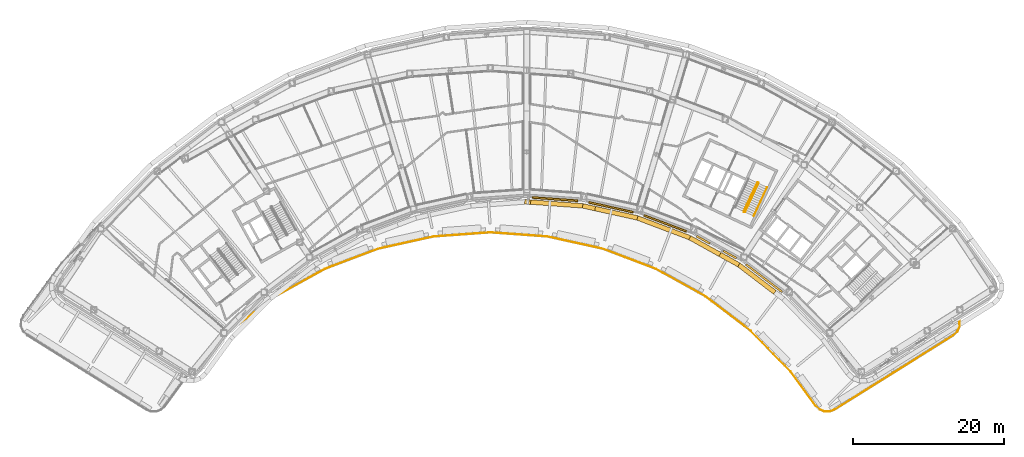
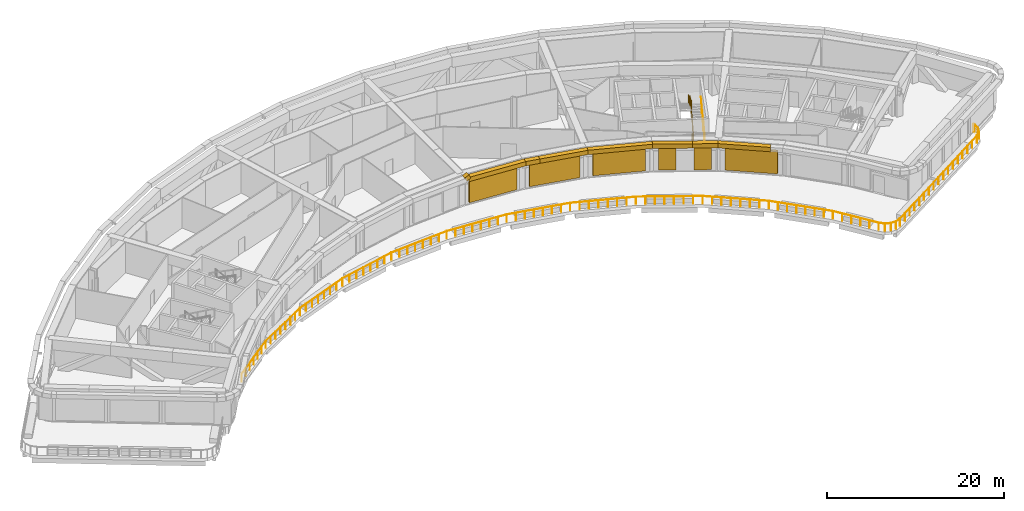
# One storey, part 22 of 25: 8 coverings, 6 shading devices, 3 railings.
"""IFC4 building model written with IfcOpenShell, lengths in metres."""

from ifc_helpers import new_model, si_unit, direction, frame, origin, origin_2d, place, context, subcontext, project, spatial, rectangle, circle, extrude, material, material_profile, profile_set, type_object, element, save


model = new_model("IFC4")

# Units and contexts
model_context = context("Model", 3, precision=1e-05, world=origin(), true_north=direction((0.0, 1.0)))
body_context = subcontext(model_context, "Body", "Model", "MODEL_VIEW")
ifc_project = project(units=[si_unit("LENGTHUNIT", "METRE"), si_unit("AREAUNIT", "SQUARE_METRE"), si_unit("VOLUMEUNIT", "CUBIC_METRE"), si_unit("PLANEANGLEUNIT", "RADIAN"), si_unit("MASSUNIT", "GRAM", prefix="KILO")], contexts=[model_context])

# Site, building, storey
site_placement = place(None, origin())
site = spatial("IfcSite", under=ifc_project, at=site_placement, CompositionType="ELEMENT")
building_placement = place(site_placement, origin())
building = spatial("IfcBuilding", under=site, at=building_placement, Name="Tuul Gate Civic Tower", CompositionType="ELEMENT")
storey_placement = place(building_placement, frame((0.0, 0.0, 60.89990234375)))
storey = spatial("IfcBuildingStorey", under=building, at=storey_placement, Name="Plant and refuge floor 2", CompositionType="ELEMENT", Elevation=60.89990234375)

# Shading devices
ifc_material_1 = material(Name="Aluminium louvre", Category="aluminium")
shading_device_type = type_object("IfcShadingDeviceType", Name="Louvre panel", PredefinedType="USERDEFINED", material=ifc_material_1)
for number, where, z_axis, x_axis, name in (
    (1, (8.552490234375, -3.49658203125, 0.300048828125), (0.0, 0.0, 1.0), (-0.072276176045, -0.997384657179, 0.0), "Louvre panel"),
    (2, (15.963134765625, -4.576171875, 0.300048828125), (0.0, 0.0, 1.0), (-0.215241961183, -0.976560749849, 0.0), "Louvre panel"),
    (3, (23.140869140625, -6.7119140625, 0.300048828125), (0.0, 0.0, 1.0), (-0.353684769481, -0.935364679597, 0.0), "Louvre panel"),
):
    element("IfcShadingDevice", number, at=place(storey_placement, frame(where, z_axis=z_axis, x_axis=x_axis)), inside=storey, type_object=shading_device_type, Name=name, ObjectType="LOUVRE", PredefinedType="USERDEFINED", context=body_context, shape_type="SweptSolid", body=[
        extrude(rectangle(XDim=0.25, YDim=6.0, at=origin_2d()), origin(), (0.0, 0.0, 1.0), 3.14990234375),
    ])
for number, where, z_axis, x_axis, name in (
    (4, (28.180908203125, -8.886962890625, 0.300048828125), (0.0, 0.0, 1.0), (-0.48480794476, -0.874620635875, 0.0), "Louvre panel"),
    (5, (31.69091796875, -10.832763671875, 0.300048828125), (0.0, 0.0, 1.0), (-0.48480794476, -0.874620635875, 0.0), "Louvre panel"),
):
    element("IfcShadingDevice", number, at=place(storey_placement, frame(where, z_axis=z_axis, x_axis=x_axis)), inside=storey, type_object=shading_device_type, Name=name, ObjectType="LOUVRE", PredefinedType="USERDEFINED", context=body_context, shape_type="SweptSolid", body=[
        extrude(rectangle(XDim=0.25, YDim=2.0, at=origin_2d()), origin(), (0.0, 0.0, 1.0), 3.14990234375),
    ])
shading_device_placement = place(storey_placement, frame((36.206298828125, -13.954345703125, 0.300048828125), z_axis=(0.0, 0.0, 1.0), x_axis=(-0.605851052715, -0.795578092914, 0.0)))
element("IfcShadingDevice", 6, at=shading_device_placement, inside=storey, type_object=shading_device_type, Name="Louvre panel", ObjectType="LOUVRE", PredefinedType="USERDEFINED", context=body_context, shape_type="SweptSolid", body=[
    extrude(rectangle(XDim=0.25, YDim=6.0, at=origin_2d()), origin(), (0.0, 0.0, 1.0), 3.14990234375),
])

# Railings
ifc_material_2 = material(Name="Painted steel", Category="steel")
railing_type_1 = type_object("IfcRailingType", Name="Stair guard", PredefinedType="GUARDRAIL", material=ifc_material_2)
railing_1_placement = place(storey_placement, frame((33.645751953125, -5.238525390625, 0.0)))
element("IfcRailing", 7, at=railing_1_placement, inside=storey, type_object=railing_type_1, Name="Plant and refuge floor 2 ST-4 stair guard 1", PredefinedType="GUARDRAIL", context=body_context, shape_type="SweptSolid", body=[
    extrude(circle(Radius=0.02392578125, at=origin_2d()), frame((0.0, 0.0, 1.076171875), z_axis=(-0.906307919131, 0.422617978463, 0.0), x_axis=(-0.422617978463, -0.906307919131, 0.0)), (0.0, 0.0, 1.0), 0.099853515625),
    extrude(circle(Radius=0.02392578125, at=origin_2d()), frame((-0.090576171875, 0.042236328125, 1.076171875), z_axis=(0.720179819621, -0.082882280952, 0.688818956559), x_axis=(0.114330889033, 0.993442724979, 0.0)), (0.0, 0.0, 1.0), 0.218017578125),
    extrude(circle(Radius=0.02392578125, at=origin_2d()), frame((0.06640625, 0.024169921875, 1.22607421875), z_axis=(0.377979662676, 0.810654594284, 0.447180616049), x_axis=(-0.906322681284, 0.422586319455, 0.0)), (0.0, 0.0, 1.0), 4.69580078125),
    extrude(circle(Radius=0.02392578125, at=origin_2d()), frame((1.84130859375, 3.830810546875, 3.326171875), z_axis=(-0.342020437038, 0.939692513883, 0.0), x_axis=(-0.939692513883, -0.342020437038, 0.0)), (0.0, 0.0, 1.0), 0.070556640625),
    extrude(circle(Radius=0.02392578125, at=origin_2d()), frame((1.817138671875, 3.897216796875, 3.326171875), z_axis=(-0.906742786819, 0.421684145483, 0.0), x_axis=(-0.421684145483, -0.906742786819, 0.0)), (0.0, 0.0, 1.0), 0.10009765625),
    extrude(circle(Radius=0.02392578125, at=origin_2d()), frame((1.726318359375, 3.939453125, 3.326171875), z_axis=(-0.400168791901, -0.145649670582, 0.904793408159), x_axis=(0.342020437038, -0.939692513883, 0.0)), (0.0, 0.0, 1.0), 0.166015625),
    extrude(circle(Radius=0.02392578125, at=origin_2d()), frame((1.659912109375, 3.915283203125, 3.47607421875), z_axis=(-0.377935097645, -0.810670524484, 0.44718940361), x_axis=(0.906344943348, -0.422538570626, 0.0)), (0.0, 0.0, 1.0), 4.695556640625),
    extrude(circle(Radius=0.02099609375, at=origin_2d()), origin(), (0.0, 0.0, 1.0), 1.052001953125),
    extrude(circle(Radius=0.02099609375, at=origin_2d()), frame((-0.090576171875, 0.042236328125, 0.0)), (0.0, 0.0, 1.0), 1.052001953125),
    extrude(circle(Radius=0.02099609375, at=origin_2d()), frame((0.06640625, 0.024169921875, 0.150146484375)), (0.0, 0.0, 1.0), 1.052001953125),
    extrude(circle(Radius=0.02099609375, at=origin_2d()), frame((0.51025390625, 0.975830078125, 0.675048828125)), (0.0, 0.0, 1.0), 1.052001953125),
    extrude(circle(Radius=0.02099609375, at=origin_2d()), frame((0.953857421875, 1.927490234375, 1.2001953125)), (0.0, 0.0, 1.0), 1.052001953125),
    extrude(circle(Radius=0.02099609375, at=origin_2d()), frame((1.3974609375, 2.879150390625, 1.72509765625)), (0.0, 0.0, 1.0), 1.052001953125),
    extrude(circle(Radius=0.02099609375, at=origin_2d()), frame((1.84130859375, 3.830810546875, 2.25)), (0.0, 0.0, 1.0), 1.052001953125),
    extrude(circle(Radius=0.02099609375, at=origin_2d()), frame((1.817138671875, 3.897216796875, 2.25)), (0.0, 0.0, 1.0), 1.052001953125),
    extrude(circle(Radius=0.02099609375, at=origin_2d()), frame((1.726318359375, 3.939453125, 2.25)), (0.0, 0.0, 1.0), 1.052001953125),
    extrude(circle(Radius=0.02099609375, at=origin_2d()), frame((1.659912109375, 3.915283203125, 2.400146484375)), (0.0, 0.0, 1.0), 1.052001953125),
    extrude(circle(Radius=0.02099609375, at=origin_2d()), frame((1.21630859375, 2.963623046875, 2.925048828125)), (0.0, 0.0, 1.0), 1.052001953125),
    extrude(circle(Radius=0.02099609375, at=origin_2d()), frame((0.7724609375, 2.011962890625, 3.4501953125)), (0.0, 0.0, 1.0), 1.052001953125),
    extrude(circle(Radius=0.02099609375, at=origin_2d()), frame((0.328857421875, 1.060302734375, 3.97509765625)), (0.0, 0.0, 1.0), 1.052001953125),
    extrude(circle(Radius=0.02099609375, at=origin_2d()), frame((-0.11474609375, 0.108642578125, 4.5)), (0.0, 0.0, 1.0), 1.052001953125),
])
ifc_material_3 = material(Name="Painted steel", Category="steel")
railing_type_2 = type_object("IfcRailingType", Name="Stair handrail", PredefinedType="HANDRAIL", material=ifc_material_3)
railing_2_placement = place(storey_placement, frame((34.844970703125, -5.74267578125, 0.150146484375)))
element("IfcRailing", 8, at=railing_2_placement, inside=storey, type_object=railing_type_2, Name="Plant and refuge floor 2 ST-4 stair handrail 1", PredefinedType="HANDRAIL", context=body_context, shape_type="SweptSolid", body=[
    extrude(circle(Radius=0.02392578125, at=origin_2d()), frame((0.0, 0.0, 0.8759765625), z_axis=(0.377979662676, 0.810654594284, 0.447180616049), x_axis=(-0.906322681284, 0.422586319455, 0.0)), (0.0, 0.0, 1.0), 4.69580078125),
    extrude(circle(Radius=0.02099609375, at=origin_2d()), origin(), (0.0, 0.0, 1.0), 0.851806640625),
    extrude(circle(Radius=0.02099609375, at=origin_2d()), frame((0.44384765625, 0.95166015625, 0.52490234375)), (0.0, 0.0, 1.0), 0.851806640625),
    extrude(circle(Radius=0.02099609375, at=origin_2d()), frame((0.887451171875, 1.9033203125, 1.0498046875)), (0.0, 0.0, 1.0), 0.851806640625),
    extrude(circle(Radius=0.02099609375, at=origin_2d()), frame((1.3310546875, 2.85498046875, 1.574951171875)), (0.0, 0.0, 1.0), 0.851806640625),
    extrude(circle(Radius=0.02099609375, at=origin_2d()), frame((1.77490234375, 3.806640625, 2.099853515625)), (0.0, 0.0, 1.0), 0.851806640625),
])
ifc_material_4 = material(Name="Stainless steel", Category="steel")
railing_type_3 = type_object("IfcRailingType", Name="Terrace guard", PredefinedType="GUARDRAIL", material=ifc_material_4)
railing_3_placement = place(storey_placement, frame((-34.084716796875, -20.651123046875, 0.0)))
element("IfcRailing", 9, at=railing_3_placement, inside=storey, type_object=railing_type_3, Name="Guard", PredefinedType="GUARDRAIL", context=body_context, shape_type="SweptSolid", body=[
    extrude(circle(Radius=0.02392578125, at=origin_2d()), frame((0.0, 0.0, 1.076171875), z_axis=(0.795570125613, 0.605861514896, 0.0), x_axis=(-0.605861514896, 0.795570125613, 0.0)), (0.0, 0.0, 1.0), 7.044677734375),
    extrude(circle(Radius=0.02392578125, at=origin_2d()), frame((5.6044921875, 4.26806640625, 1.076171875), z_axis=(0.874652568021, 0.484750332907, 0.0), x_axis=(-0.484750332907, 0.874652568021, 0.0)), (0.0, 0.0, 1.0), 7.5263671875),
    extrude(circle(Radius=0.02392578125, at=origin_2d()), frame((12.1875, 7.91650390625, 1.076171875), z_axis=(0.935332384104, 0.353770167265, 0.0), x_axis=(-0.353770167265, 0.935332384104, 0.0)), (0.0, 0.0, 1.0), 7.527099609375),
    extrude(circle(Radius=0.02392578125, at=origin_2d()), frame((19.227783203125, 10.579345703125, 1.076171875), z_axis=(0.976573215597, 0.215185395831, 0.0), x_axis=(-0.215185395831, 0.976573215597, 0.0)), (0.0, 0.0, 1.0), 7.526611328125),
    extrude(circle(Radius=0.02392578125, at=origin_2d()), frame((26.578125, 12.198974609375, 1.076171875), z_axis=(0.997389572159, 0.072208319108, 0.0), x_axis=(-0.072208319108, 0.997389572159, 0.0)), (0.0, 0.0, 1.0), 7.526123046875),
    extrude(circle(Radius=0.02392578125, at=origin_2d()), frame((34.084716796875, 12.742431640625, 1.076171875), z_axis=(0.997389572159, -0.072208319108, 0.0), x_axis=(0.072208319108, 0.997389572159, 0.0)), (0.0, 0.0, 1.0), 7.526123046875),
    extrude(circle(Radius=0.02392578125, at=origin_2d()), frame((41.59130859375, 12.198974609375, 1.076171875), z_axis=(0.976573215597, -0.215185395831, 0.0), x_axis=(0.215185395831, 0.976573215597, 0.0)), (0.0, 0.0, 1.0), 7.526611328125),
    extrude(circle(Radius=0.02392578125, at=origin_2d()), frame((48.941650390625, 10.579345703125, 1.076171875), z_axis=(0.935332384104, -0.353770167265, 0.0), x_axis=(0.353770167265, 0.935332384104, 0.0)), (0.0, 0.0, 1.0), 7.527099609375),
    extrude(circle(Radius=0.02392578125, at=origin_2d()), frame((55.98193359375, 7.91650390625, 1.076171875), z_axis=(0.874652568021, -0.484750332907, 0.0), x_axis=(0.484750332907, 0.874652568021, 0.0)), (0.0, 0.0, 1.0), 7.5263671875),
    extrude(circle(Radius=0.02392578125, at=origin_2d()), frame((62.56494140625, 4.26806640625, 1.076171875), z_axis=(0.795572422077, -0.605858499347, 0.0), x_axis=(0.605858499347, 0.795572422077, 0.0)), (0.0, 0.0, 1.0), 7.527099609375),
    extrude(circle(Radius=0.02392578125, at=origin_2d()), frame((68.55322265625, -0.292236328125, 1.076171875), z_axis=(0.700015947829, -0.714127210506, 0.0), x_axis=(0.714127210506, 0.700015947829, 0.0)), (0.0, 0.0, 1.0), 7.52587890625),
    extrude(circle(Radius=0.02392578125, at=origin_2d()), frame((73.821533203125, -5.666748046875, 1.076171875), z_axis=(0.589799533535, -0.807549695215, 0.0), x_axis=(0.807549695215, 0.589799533535, 0.0)), (0.0, 0.0, 1.0), 5.640625),
    extrude(circle(Radius=0.02392578125, at=origin_2d()), frame((77.1484375, -10.221923828125, 1.076171875), z_axis=(0.730176325427, -0.68325876049, 0.0), x_axis=(0.68325876049, 0.730176325427, 0.0)), (0.0, 0.0, 1.0), 0.702392578125),
    extrude(circle(Radius=0.02392578125, at=origin_2d()), frame((77.661376953125, -10.701904296875, 1.076171875), z_axis=(0.9292820248, -0.369370976639, 0.0), x_axis=(0.369370976639, 0.9292820248, 0.0)), (0.0, 0.0, 1.0), 0.68798828125),
    extrude(circle(Radius=0.02392578125, at=origin_2d()), frame((78.30078125, -10.9560546875, 1.076171875), z_axis=(0.999992381518, -0.003903447905, 0.0), x_axis=(0.003903447905, 0.999992381518, 0.0)), (0.0, 0.0, 1.0), 0.68798828125),
    extrude(circle(Radius=0.02392578125, at=origin_2d()), frame((78.98876953125, -10.958740234375, 1.076171875), z_axis=(0.931913281541, 0.362681176361, 0.0), x_axis=(-0.362681176361, 0.931913281541, 0.0)), (0.0, 0.0, 1.0), 0.7021484375),
    extrude(circle(Radius=0.02392578125, at=origin_2d()), frame((79.64306640625, -10.7041015625, 1.076171875), z_axis=(0.848033851669, 0.529942059496, 0.0), x_axis=(-0.529942059496, 0.848033851669, 0.0)), (0.0, 0.0, 1.0), 18.519287109375),
    extrude(circle(Radius=0.02392578125, at=origin_2d()), frame((95.34814453125, -0.889892578125, 1.076171875), z_axis=(0.722186485961, 0.69169840212, 0.0), x_axis=(-0.69169840212, 0.722186485961, 0.0)), (0.0, 0.0, 1.0), 0.768798828125),
    extrude(circle(Radius=0.02392578125, at=origin_2d()), frame((95.9033203125, -0.358154296875, 1.076171875), z_axis=(0.386086812322, 0.922462450917, 0.0), x_axis=(-0.922462450917, 0.386086812322, 0.0)), (0.0, 0.0, 1.0), 0.753662109375),
    extrude(circle(Radius=0.02392578125, at=origin_2d()), frame((96.1943359375, 0.337158203125, 1.076171875), z_axis=(-0.014923710973, 0.999888635224, 0.0), x_axis=(-0.999888635224, -0.014923710973, 0.0)), (0.0, 0.0, 1.0), 0.75244140625),
    extrude(circle(Radius=0.02392578125, at=origin_2d()), frame((96.18310546875, 1.089599609375, 1.076171875), z_axis=(-0.411904289645, 0.911227115582, 0.0), x_axis=(-0.911227115582, -0.411904289645, 0.0)), (0.0, 0.0, 1.0), 0.164794921875),
    extrude(circle(Radius=0.02099609375, at=origin_2d()), origin(), (0.0, 0.0, 1.0), 1.052001953125),
    extrude(circle(Radius=0.02099609375, at=origin_2d()), frame((0.93408203125, 0.71142578125, 0.0)), (0.0, 0.0, 1.0), 1.052001953125),
    extrude(circle(Radius=0.02099609375, at=origin_2d()), frame((1.8681640625, 1.422607421875, 0.0)), (0.0, 0.0, 1.0), 1.052001953125),
    extrude(circle(Radius=0.02099609375, at=origin_2d()), frame((2.80224609375, 2.134033203125, 0.0)), (0.0, 0.0, 1.0), 1.052001953125),
    extrude(circle(Radius=0.02099609375, at=origin_2d()), frame((3.736328125, 2.845458984375, 0.0)), (0.0, 0.0, 1.0), 1.052001953125),
    extrude(circle(Radius=0.02099609375, at=origin_2d()), frame((4.67041015625, 3.556640625, 0.0)), (0.0, 0.0, 1.0), 1.052001953125),
    extrude(circle(Radius=0.02099609375, at=origin_2d()), frame((5.6044921875, 4.26806640625, 0.0)), (0.0, 0.0, 1.0), 1.052001953125),
    extrude(circle(Radius=0.02099609375, at=origin_2d()), frame((6.544921875, 4.789306640625, 0.0)), (0.0, 0.0, 1.0), 1.052001953125),
    extrude(circle(Radius=0.02099609375, at=origin_2d()), frame((7.4853515625, 5.310546875, 0.0)), (0.0, 0.0, 1.0), 1.052001953125),
    extrude(circle(Radius=0.02099609375, at=origin_2d()), frame((8.42578125, 5.831787109375, 0.0)), (0.0, 0.0, 1.0), 1.052001953125),
    extrude(circle(Radius=0.02099609375, at=origin_2d()), frame((9.3662109375, 6.352783203125, 0.0)), (0.0, 0.0, 1.0), 1.052001953125),
    extrude(circle(Radius=0.02099609375, at=origin_2d()), frame((10.306640625, 6.8740234375, 0.0)), (0.0, 0.0, 1.0), 1.052001953125),
    extrude(circle(Radius=0.02099609375, at=origin_2d()), frame((11.2470703125, 7.395263671875, 0.0)), (0.0, 0.0, 1.0), 1.052001953125),
    extrude(circle(Radius=0.02099609375, at=origin_2d()), frame((12.1875, 7.91650390625, 0.0)), (0.0, 0.0, 1.0), 1.052001953125),
    extrude(circle(Radius=0.02099609375, at=origin_2d()), frame((13.193359375, 8.296875, 0.0)), (0.0, 0.0, 1.0), 1.052001953125),
    extrude(circle(Radius=0.02099609375, at=origin_2d()), frame((14.198974609375, 8.67724609375, 0.0)), (0.0, 0.0, 1.0), 1.052001953125),
    extrude(circle(Radius=0.02099609375, at=origin_2d()), frame((15.204833984375, 9.0576171875, 0.0)), (0.0, 0.0, 1.0), 1.052001953125),
    extrude(circle(Radius=0.02099609375, at=origin_2d()), frame((16.21044921875, 9.438232421875, 0.0)), (0.0, 0.0, 1.0), 1.052001953125),
    extrude(circle(Radius=0.02099609375, at=origin_2d()), frame((17.21630859375, 9.818603515625, 0.0)), (0.0, 0.0, 1.0), 1.052001953125),
    extrude(circle(Radius=0.02099609375, at=origin_2d()), frame((18.221923828125, 10.198974609375, 0.0)), (0.0, 0.0, 1.0), 1.052001953125),
    extrude(circle(Radius=0.02099609375, at=origin_2d()), frame((19.227783203125, 10.579345703125, 0.0)), (0.0, 0.0, 1.0), 1.052001953125),
    extrude(circle(Radius=0.02099609375, at=origin_2d()), frame((20.27783203125, 10.810791015625, 0.0)), (0.0, 0.0, 1.0), 1.052001953125),
    extrude(circle(Radius=0.02099609375, at=origin_2d()), frame((21.327880859375, 11.0419921875, 0.0)), (0.0, 0.0, 1.0), 1.052001953125),
    extrude(circle(Radius=0.02099609375, at=origin_2d()), frame((22.3779296875, 11.2734375, 0.0)), (0.0, 0.0, 1.0), 1.052001953125),
    extrude(circle(Radius=0.02099609375, at=origin_2d()), frame((23.427978515625, 11.5048828125, 0.0)), (0.0, 0.0, 1.0), 1.052001953125),
    extrude(circle(Radius=0.02099609375, at=origin_2d()), frame((24.47802734375, 11.736328125, 0.0)), (0.0, 0.0, 1.0), 1.052001953125),
    extrude(circle(Radius=0.02099609375, at=origin_2d()), frame((25.528076171875, 11.967529296875, 0.0)), (0.0, 0.0, 1.0), 1.052001953125),
    extrude(circle(Radius=0.02099609375, at=origin_2d()), frame((26.578125, 12.198974609375, 0.0)), (0.0, 0.0, 1.0), 1.052001953125),
    extrude(circle(Radius=0.02099609375, at=origin_2d()), frame((27.650390625, 12.276611328125, 0.0)), (0.0, 0.0, 1.0), 1.052001953125),
    extrude(circle(Radius=0.02099609375, at=origin_2d()), frame((28.722900390625, 12.354248046875, 0.0)), (0.0, 0.0, 1.0), 1.052001953125),
    extrude(circle(Radius=0.02099609375, at=origin_2d()), frame((29.795166015625, 12.431884765625, 0.0)), (0.0, 0.0, 1.0), 1.052001953125),
    extrude(circle(Radius=0.02099609375, at=origin_2d()), frame((30.86767578125, 12.509521484375, 0.0)), (0.0, 0.0, 1.0), 1.052001953125),
    extrude(circle(Radius=0.02099609375, at=origin_2d()), frame((31.93994140625, 12.587158203125, 0.0)), (0.0, 0.0, 1.0), 1.052001953125),
    extrude(circle(Radius=0.02099609375, at=origin_2d()), frame((33.012451171875, 12.664794921875, 0.0)), (0.0, 0.0, 1.0), 1.052001953125),
    extrude(circle(Radius=0.02099609375, at=origin_2d()), frame((34.084716796875, 12.742431640625, 0.0)), (0.0, 0.0, 1.0), 1.052001953125),
    extrude(circle(Radius=0.02099609375, at=origin_2d()), frame((35.156982421875, 12.664794921875, 0.0)), (0.0, 0.0, 1.0), 1.052001953125),
    extrude(circle(Radius=0.02099609375, at=origin_2d()), frame((36.2294921875, 12.587158203125, 0.0)), (0.0, 0.0, 1.0), 1.052001953125),
    extrude(circle(Radius=0.02099609375, at=origin_2d()), frame((37.3017578125, 12.509521484375, 0.0)), (0.0, 0.0, 1.0), 1.052001953125),
    extrude(circle(Radius=0.02099609375, at=origin_2d()), frame((38.374267578125, 12.431884765625, 0.0)), (0.0, 0.0, 1.0), 1.052001953125),
    extrude(circle(Radius=0.02099609375, at=origin_2d()), frame((39.446533203125, 12.354248046875, 0.0)), (0.0, 0.0, 1.0), 1.052001953125),
    extrude(circle(Radius=0.02099609375, at=origin_2d()), frame((40.51904296875, 12.276611328125, 0.0)), (0.0, 0.0, 1.0), 1.052001953125),
    extrude(circle(Radius=0.02099609375, at=origin_2d()), frame((41.59130859375, 12.198974609375, 0.0)), (0.0, 0.0, 1.0), 1.052001953125),
    extrude(circle(Radius=0.02099609375, at=origin_2d()), frame((42.641357421875, 11.967529296875, 0.0)), (0.0, 0.0, 1.0), 1.052001953125),
    extrude(circle(Radius=0.02099609375, at=origin_2d()), frame((43.69140625, 11.736328125, 0.0)), (0.0, 0.0, 1.0), 1.052001953125),
    extrude(circle(Radius=0.02099609375, at=origin_2d()), frame((44.741455078125, 11.5048828125, 0.0)), (0.0, 0.0, 1.0), 1.052001953125),
    extrude(circle(Radius=0.02099609375, at=origin_2d()), frame((45.79150390625, 11.2734375, 0.0)), (0.0, 0.0, 1.0), 1.052001953125),
    extrude(circle(Radius=0.02099609375, at=origin_2d()), frame((46.841552734375, 11.0419921875, 0.0)), (0.0, 0.0, 1.0), 1.052001953125),
    extrude(circle(Radius=0.02099609375, at=origin_2d()), frame((47.8916015625, 10.810791015625, 0.0)), (0.0, 0.0, 1.0), 1.052001953125),
    extrude(circle(Radius=0.02099609375, at=origin_2d()), frame((48.941650390625, 10.579345703125, 0.0)), (0.0, 0.0, 1.0), 1.052001953125),
    extrude(circle(Radius=0.02099609375, at=origin_2d()), frame((49.947509765625, 10.198974609375, 0.0)), (0.0, 0.0, 1.0), 1.052001953125),
    extrude(circle(Radius=0.02099609375, at=origin_2d()), frame((50.953125, 9.818603515625, 0.0)), (0.0, 0.0, 1.0), 1.052001953125),
    extrude(circle(Radius=0.02099609375, at=origin_2d()), frame((51.958984375, 9.438232421875, 0.0)), (0.0, 0.0, 1.0), 1.052001953125),
    extrude(circle(Radius=0.02099609375, at=origin_2d()), frame((52.964599609375, 9.0576171875, 0.0)), (0.0, 0.0, 1.0), 1.052001953125),
    extrude(circle(Radius=0.02099609375, at=origin_2d()), frame((53.970458984375, 8.67724609375, 0.0)), (0.0, 0.0, 1.0), 1.052001953125),
    extrude(circle(Radius=0.02099609375, at=origin_2d()), frame((54.97607421875, 8.296875, 0.0)), (0.0, 0.0, 1.0), 1.052001953125),
    extrude(circle(Radius=0.02099609375, at=origin_2d()), frame((55.98193359375, 7.91650390625, 0.0)), (0.0, 0.0, 1.0), 1.052001953125),
    extrude(circle(Radius=0.02099609375, at=origin_2d()), frame((56.92236328125, 7.395263671875, 0.0)), (0.0, 0.0, 1.0), 1.052001953125),
    extrude(circle(Radius=0.02099609375, at=origin_2d()), frame((57.86279296875, 6.8740234375, 0.0)), (0.0, 0.0, 1.0), 1.052001953125),
    extrude(circle(Radius=0.02099609375, at=origin_2d()), frame((58.80322265625, 6.352783203125, 0.0)), (0.0, 0.0, 1.0), 1.052001953125),
    extrude(circle(Radius=0.02099609375, at=origin_2d()), frame((59.74365234375, 5.831787109375, 0.0)), (0.0, 0.0, 1.0), 1.052001953125),
    extrude(circle(Radius=0.02099609375, at=origin_2d()), frame((60.68408203125, 5.310546875, 0.0)), (0.0, 0.0, 1.0), 1.052001953125),
    extrude(circle(Radius=0.02099609375, at=origin_2d()), frame((61.62451171875, 4.789306640625, 0.0)), (0.0, 0.0, 1.0), 1.052001953125),
    extrude(circle(Radius=0.02099609375, at=origin_2d()), frame((62.56494140625, 4.26806640625, 0.0)), (0.0, 0.0, 1.0), 1.052001953125),
    extrude(circle(Radius=0.02099609375, at=origin_2d()), frame((63.42041015625, 3.61669921875, 0.0)), (0.0, 0.0, 1.0), 1.052001953125),
    extrude(circle(Radius=0.02099609375, at=origin_2d()), frame((64.27587890625, 2.965087890625, 0.0)), (0.0, 0.0, 1.0), 1.052001953125),
    extrude(circle(Radius=0.02099609375, at=origin_2d()), frame((65.13134765625, 2.313720703125, 0.0)), (0.0, 0.0, 1.0), 1.052001953125),
    extrude(circle(Radius=0.02099609375, at=origin_2d()), frame((65.98681640625, 1.662109375, 0.0)), (0.0, 0.0, 1.0), 1.052001953125),
    extrude(circle(Radius=0.02099609375, at=origin_2d()), frame((66.84228515625, 1.0107421875, 0.0)), (0.0, 0.0, 1.0), 1.052001953125),
    extrude(circle(Radius=0.02099609375, at=origin_2d()), frame((67.69775390625, 0.359130859375, 0.0)), (0.0, 0.0, 1.0), 1.052001953125),
    extrude(circle(Radius=0.02099609375, at=origin_2d()), frame((68.55322265625, -0.292236328125, 0.0)), (0.0, 0.0, 1.0), 1.052001953125),
    extrude(circle(Radius=0.02099609375, at=origin_2d()), frame((69.305908203125, -1.06005859375, 0.0)), (0.0, 0.0, 1.0), 1.052001953125),
    extrude(circle(Radius=0.02099609375, at=origin_2d()), frame((70.058349609375, -1.827880859375, 0.0)), (0.0, 0.0, 1.0), 1.052001953125),
    extrude(circle(Radius=0.02099609375, at=origin_2d()), frame((70.81103515625, -2.595703125, 0.0)), (0.0, 0.0, 1.0), 1.052001953125),
    extrude(circle(Radius=0.02099609375, at=origin_2d()), frame((71.563720703125, -3.36328125, 0.0)), (0.0, 0.0, 1.0), 1.052001953125),
    extrude(circle(Radius=0.02099609375, at=origin_2d()), frame((72.31640625, -4.131103515625, 0.0)), (0.0, 0.0, 1.0), 1.052001953125),
    extrude(circle(Radius=0.02099609375, at=origin_2d()), frame((73.06884765625, -4.89892578125, 0.0)), (0.0, 0.0, 1.0), 1.052001953125),
    extrude(circle(Radius=0.02099609375, at=origin_2d()), frame((73.821533203125, -5.666748046875, 0.0)), (0.0, 0.0, 1.0), 1.052001953125),
    extrude(circle(Radius=0.02099609375, at=origin_2d()), frame((74.48681640625, -6.577880859375, 0.0)), (0.0, 0.0, 1.0), 1.052001953125),
    extrude(circle(Radius=0.02099609375, at=origin_2d()), frame((75.15234375, -7.48876953125, 0.0)), (0.0, 0.0, 1.0), 1.052001953125),
    extrude(circle(Radius=0.02099609375, at=origin_2d()), frame((75.817626953125, -8.39990234375, 0.0)), (0.0, 0.0, 1.0), 1.052001953125),
    extrude(circle(Radius=0.02099609375, at=origin_2d()), frame((76.483154296875, -9.310791015625, 0.0)), (0.0, 0.0, 1.0), 1.052001953125),
    extrude(circle(Radius=0.02099609375, at=origin_2d()), frame((77.1484375, -10.221923828125, 0.0)), (0.0, 0.0, 1.0), 1.052001953125),
    extrude(circle(Radius=0.02099609375, at=origin_2d()), frame((77.661376953125, -10.701904296875, 0.0)), (0.0, 0.0, 1.0), 1.052001953125),
    extrude(circle(Radius=0.02099609375, at=origin_2d()), frame((78.30078125, -10.9560546875, 0.0)), (0.0, 0.0, 1.0), 1.052001953125),
    extrude(circle(Radius=0.02099609375, at=origin_2d()), frame((78.98876953125, -10.958740234375, 0.0)), (0.0, 0.0, 1.0), 1.052001953125),
    extrude(circle(Radius=0.02099609375, at=origin_2d()), frame((79.64306640625, -10.7041015625, 0.0)), (0.0, 0.0, 1.0), 1.052001953125),
    extrude(circle(Radius=0.02099609375, at=origin_2d()), frame((80.62451171875, -10.0908203125, 0.0)), (0.0, 0.0, 1.0), 1.052001953125),
    extrude(circle(Radius=0.02099609375, at=origin_2d()), frame((81.606201171875, -9.477294921875, 0.0)), (0.0, 0.0, 1.0), 1.052001953125),
    extrude(circle(Radius=0.02099609375, at=origin_2d()), frame((82.587890625, -8.864013671875, 0.0)), (0.0, 0.0, 1.0), 1.052001953125),
    extrude(circle(Radius=0.02099609375, at=origin_2d()), frame((83.5693359375, -8.25048828125, 0.0)), (0.0, 0.0, 1.0), 1.052001953125),
    extrude(circle(Radius=0.02099609375, at=origin_2d()), frame((84.55078125, -7.63720703125, 0.0)), (0.0, 0.0, 1.0), 1.052001953125),
    extrude(circle(Radius=0.02099609375, at=origin_2d()), frame((85.532470703125, -7.023681640625, 0.0)), (0.0, 0.0, 1.0), 1.052001953125),
    extrude(circle(Radius=0.02099609375, at=origin_2d()), frame((86.51416015625, -6.410400390625, 0.0)), (0.0, 0.0, 1.0), 1.052001953125),
    extrude(circle(Radius=0.02099609375, at=origin_2d()), frame((87.49560546875, -5.796875, 0.0)), (0.0, 0.0, 1.0), 1.052001953125),
    extrude(circle(Radius=0.02099609375, at=origin_2d()), frame((88.47705078125, -5.18359375, 0.0)), (0.0, 0.0, 1.0), 1.052001953125),
    extrude(circle(Radius=0.02099609375, at=origin_2d()), frame((89.458740234375, -4.5703125, 0.0)), (0.0, 0.0, 1.0), 1.052001953125),
    extrude(circle(Radius=0.02099609375, at=origin_2d()), frame((90.4404296875, -3.956787109375, 0.0)), (0.0, 0.0, 1.0), 1.052001953125),
    extrude(circle(Radius=0.02099609375, at=origin_2d()), frame((91.421875, -3.343505859375, 0.0)), (0.0, 0.0, 1.0), 1.052001953125),
    extrude(circle(Radius=0.02099609375, at=origin_2d()), frame((92.4033203125, -2.72998046875, 0.0)), (0.0, 0.0, 1.0), 1.052001953125),
    extrude(circle(Radius=0.02099609375, at=origin_2d()), frame((93.385009765625, -2.11669921875, 0.0)), (0.0, 0.0, 1.0), 1.052001953125),
    extrude(circle(Radius=0.02099609375, at=origin_2d()), frame((94.36669921875, -1.503173828125, 0.0)), (0.0, 0.0, 1.0), 1.052001953125),
    extrude(circle(Radius=0.02099609375, at=origin_2d()), frame((95.34814453125, -0.889892578125, 0.0)), (0.0, 0.0, 1.0), 1.052001953125),
    extrude(circle(Radius=0.02099609375, at=origin_2d()), frame((95.9033203125, -0.358154296875, 0.0)), (0.0, 0.0, 1.0), 1.052001953125),
    extrude(circle(Radius=0.02099609375, at=origin_2d()), frame((96.1943359375, 0.337158203125, 0.0)), (0.0, 0.0, 1.0), 1.052001953125),
    extrude(circle(Radius=0.02099609375, at=origin_2d()), frame((96.18310546875, 1.089599609375, 0.0)), (0.0, 0.0, 1.0), 1.052001953125),
    extrude(circle(Radius=0.02099609375, at=origin_2d()), frame((96.115234375, 1.23974609375, 0.0)), (0.0, 0.0, 1.0), 1.052001953125),
])

# Coverings
ifc_material_5 = material(Name="Terracotta baguette", Category="masonry")
ifc_material_profile = material_profile(ifc_material_5, rectangle(XDim=0.60009765625, YDim=0.60009765625, at=origin_2d()), Name="Terracotta baguette screen frame")
ifc_profile_set = profile_set([ifc_material_profile], Name="Terracotta baguette")
covering_type = type_object("IfcCoveringType", Name="Terracotta baguette screen frame", PredefinedType="CLADDING", material=ifc_profile_set)
covering_1_placement = place(storey_placement, frame((4.80810546875, -3.85205078125, 4.648193359375), z_axis=(0.464914591257, -0.033394051797, -0.884725528139), x_axis=(0.071643779634, 0.997430282696, 0.0)))
element("IfcCovering", 10, at=covering_1_placement, inside=storey, type_object=covering_type, Name="Baguette 213", PredefinedType="CLADDING", context=body_context, shape_type="SweptSolid", body=[
    extrude(rectangle(XDim=0.60009765625, YDim=0.60009765625, at=origin_2d()), origin(), (0.0, 0.0, 1.0), 0.56298828125),
])
covering_2_placement = place(storey_placement, frame((5.06982421875, -3.870849609375, 4.150146484375), z_axis=(0.997382977764, -0.072299347629, 0.0), x_axis=(0.072299347629, 0.997382977764, 0.0)))
element("IfcCovering", 11, at=covering_2_placement, inside=storey, type_object=covering_type, Name="Baguette 220", PredefinedType="CLADDING", context=body_context, shape_type="SweptSolid", body=[
    extrude(rectangle(XDim=0.60009765625, YDim=0.60009765625, at=origin_2d()), origin(), (0.0, 0.0, 1.0), 7.155517578125),
])
covering_3_placement = place(storey_placement, frame((12.20654296875, -4.38818359375, 4.150146484375), z_axis=(0.976551365634, -0.215284533302, 0.0), x_axis=(0.215284533302, 0.976551365634, 0.0)))
element("IfcCovering", 12, at=covering_3_placement, inside=storey, type_object=covering_type, Name="Baguette 221", PredefinedType="CLADDING", context=body_context, shape_type="SweptSolid", body=[
    extrude(rectangle(XDim=0.60009765625, YDim=0.60009765625, at=origin_2d()), origin(), (0.0, 0.0, 1.0), 1.696533203125),
])
covering_4_placement = place(storey_placement, frame((30.381103515625, -10.8212890625, 4.150146484375), z_axis=(0.874645152561, -0.484763712649, 0.0), x_axis=(0.484763712649, 0.874645152561, 0.0)))
element("IfcCovering", 13, at=covering_4_placement, inside=storey, type_object=covering_type, Name="Baguette 240", PredefinedType="CLADDING", context=body_context, shape_type="SweptSolid", body=[
    extrude(rectangle(XDim=0.60009765625, YDim=0.60009765625, at=origin_2d()), origin(), (0.0, 0.0, 1.0), 2.853515625),
])
covering_5_placement = place(storey_placement, frame((32.876953125, -12.20458984375, 4.150146484375), z_axis=(0.79556810709, -0.605864165454, 0.0), x_axis=(0.605864165454, 0.79556810709, 0.0)))
element("IfcCovering", 14, at=covering_5_placement, inside=storey, type_object=covering_type, Name="Baguette 241", PredefinedType="CLADDING", context=body_context, shape_type="SweptSolid", body=[
    extrude(rectangle(XDim=0.60009765625, YDim=0.60009765625, at=origin_2d()), origin(), (0.0, 0.0, 1.0), 5.99853515625),
])
covering_6_placement = place(storey_placement, frame((13.86328125, -4.75341796875, 4.150146484375), z_axis=(0.976570084756, -0.215199603995, 0.0), x_axis=(0.215199603995, 0.976570084756, 0.0)))
element("IfcCovering", 15, at=covering_6_placement, inside=storey, type_object=covering_type, Name="Baguette 392", PredefinedType="CLADDING", context=body_context, shape_type="SweptSolid", body=[
    extrude(rectangle(XDim=0.60009765625, YDim=0.60009765625, at=origin_2d()), origin(), (0.0, 0.0, 1.0), 5.72119140625),
])
covering_7_placement = place(storey_placement, frame((19.450439453125, -5.984619140625, 4.150146484375), z_axis=(0.935357193845, -0.353704565878, 0.0), x_axis=(0.353704565878, 0.935357193845, 0.0)))
element("IfcCovering", 16, at=covering_7_placement, inside=storey, type_object=covering_type, Name="Baguette 393", PredefinedType="CLADDING", context=body_context, shape_type="SweptSolid", body=[
    extrude(rectangle(XDim=0.60009765625, YDim=0.60009765625, at=origin_2d()), origin(), (0.0, 0.0, 1.0), 7.41796875),
])
covering_8_placement = place(storey_placement, frame((26.388916015625, -8.6083984375, 4.150146484375), z_axis=(0.874621104425, -0.484807099468, 0.0), x_axis=(0.484807099468, 0.874621104425, 0.0)))
element("IfcCovering", 17, at=covering_8_placement, inside=storey, type_object=covering_type, Name="Baguette 394", PredefinedType="CLADDING", context=body_context, shape_type="SweptSolid", body=[
    extrude(rectangle(XDim=0.60009765625, YDim=0.60009765625, at=origin_2d()), origin(), (0.0, 0.0, 1.0), 4.564453125),
])

save(model, "model.ifc")
